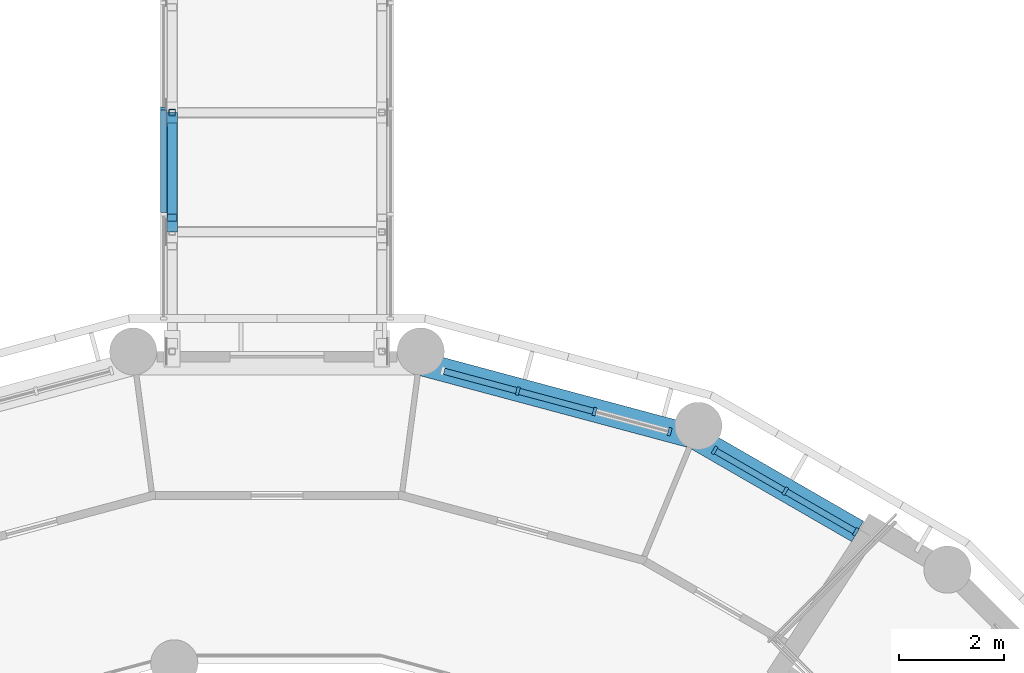
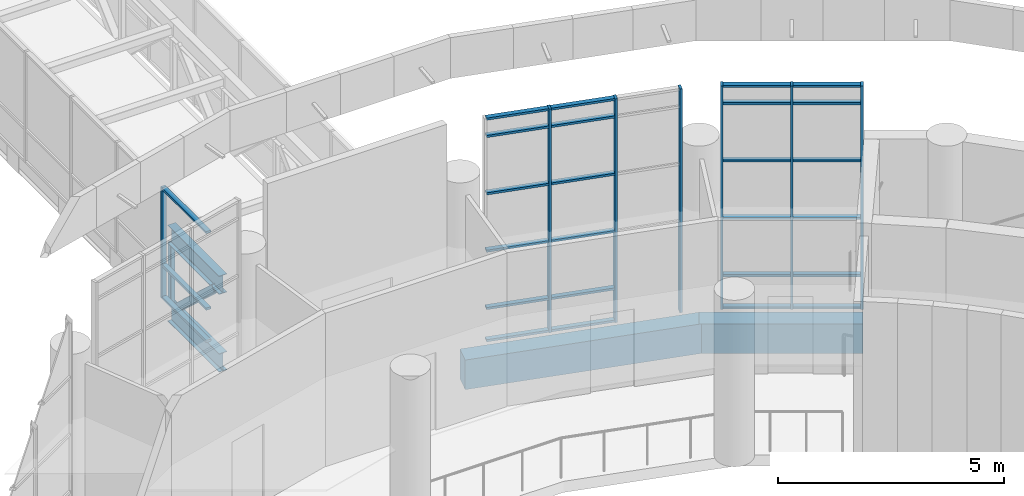
# One storey, part 24 of 136: 38 members, 2 beams, 3 elements without a shape of their own.
"""IFC4 building model written with IfcOpenShell, lengths in metres."""

from ifc_helpers import new_model, si_unit, direction, frame, origin, origin_2d, place, context, subcontext, project, spatial, rectangle, hollow_rectangle, i_section, extrude, material, material_profile, profile_set, type_object, element, aggregate, save


model = new_model("IFC4")

# Units and contexts
model_context = context("Model", 3, precision=1e-05, world=origin(), true_north=direction((0.0, 1.0)))
body_context = subcontext(model_context, "Body", "Model", "MODEL_VIEW")
ifc_project = project(units=[si_unit("LENGTHUNIT", "METRE"), si_unit("AREAUNIT", "SQUARE_METRE"), si_unit("VOLUMEUNIT", "CUBIC_METRE"), si_unit("PLANEANGLEUNIT", "RADIAN"), si_unit("MASSUNIT", "GRAM", prefix="KILO")], contexts=[model_context])

# Site, building, storey
site_placement = place(None, origin())
site = spatial("IfcSite", under=ifc_project, at=site_placement, CompositionType="ELEMENT")
building_placement = place(site_placement, origin())
building = spatial("IfcBuilding", under=site, at=building_placement, Name="Bougainvillea Quay General Hospital", CompositionType="ELEMENT")
storey_placement = place(building_placement, frame((0.0, 0.0, 5.39990234375)))
storey = spatial("IfcBuildingStorey", under=building, at=storey_placement, Name="L01", CompositionType="ELEMENT", Elevation=5.39990234375)

# Curtain wall, member
ifc_material_1 = material(Name="Aluminium curtain wall system, powder-coated glazed", Category="aluminium")
curtain_wall_type_1 = type_object("IfcCurtainWallType", Name="Unitised curtain wall CW-2100", PredefinedType="NOTDEFINED", material=ifc_material_1)
curtain_wall_1_placement = place(storey_placement, origin())
curtain_wall_1 = element("IfcCurtainWall", 1, at=curtain_wall_1_placement, inside=storey, type_object=curtain_wall_type_1, Name="BG-L L", PredefinedType="NOTDEFINED")
ifc_material_2 = material(Name="Aluminium mullion, powder-coated charcoal", Category="aluminium")
ifc_material_profile_1 = material_profile(ifc_material_2, rectangle(XDim=0.1201171875, YDim=0.06005859375, at=origin_2d()))
ifc_profile_set_1 = profile_set([ifc_material_profile_1], Name="Aluminium mullion, powder-coated charcoal")
member_type_1 = type_object("IfcMemberType", Name="Curtain wall mullion 120x60", PredefinedType="MULLION", material=ifc_profile_set_1)
member_1_placement = place(storey_placement, frame((107.0400390625, 99.45263671875, 0.0), z_axis=(0.0, 0.0, 1.0), x_axis=(-1.0, 0.0, 0.0)))
member_1 = element("IfcMember", 2, at=member_1_placement, type_object=member_type_1, Name="BG-L mullion 3", PredefinedType="MULLION", context=body_context, shape_type="SweptSolid", body=[
    extrude(rectangle(XDim=0.1201171875, YDim=0.06005859375, at=origin_2d()), origin(), (0.0, 0.0, 1.0), 3.0),
])

# Curtain wall, members
curtain_wall_type_2 = type_object("IfcCurtainWallType", Name="Unitised curtain wall CW-1585", PredefinedType="NOTDEFINED", material=ifc_material_1)
curtain_wall_2_placement = place(storey_placement, origin())
curtain_wall_2 = element("IfcCurtainWall", 3, at=curtain_wall_2_placement, inside=storey, type_object=curtain_wall_type_2, Name="CW-D 00", PredefinedType="NOTDEFINED")
ifc_material_profile_2 = material_profile(ifc_material_2, rectangle(XDim=0.159912109375, YDim=0.06005859375, at=origin_2d()))
ifc_profile_set_2 = profile_set([ifc_material_profile_2], Name="Aluminium mullion, powder-coated charcoal")
member_type_2 = type_object("IfcMemberType", Name="Curtain wall mullion 160x60", PredefinedType="MULLION", material=ifc_profile_set_2)
member_2_placement = place(storey_placement, frame((120.2373046875, 91.379638671875, 0.0), z_axis=(0.0, 0.0, 1.0), x_axis=(-0.499964557262, -0.866045865692, 0.0)))
member_2 = element("IfcMember", 4, at=member_2_placement, type_object=member_type_2, Name="CW-D mullion 1", PredefinedType="MULLION", context=body_context, shape_type="SweptSolid", body=[
    extrude(rectangle(XDim=0.159912109375, YDim=0.06005859375, at=origin_2d()), origin(), (0.0, 0.0, 1.0), 6.050048828125),
])
member_3_placement = place(storey_placement, frame((118.890625, 92.1572265625, 0.0), z_axis=(0.0, 0.0, 1.0), x_axis=(-0.499964557262, -0.866045865692, 0.0)))
member_3 = element("IfcMember", 5, at=member_3_placement, type_object=member_type_2, Name="CW-D mullion 2", PredefinedType="MULLION", context=body_context, shape_type="SweptSolid", body=[
    extrude(rectangle(XDim=0.159912109375, YDim=0.06005859375, at=origin_2d()), origin(), (0.0, 0.0, 1.0), 6.050048828125),
])
member_4_placement = place(storey_placement, frame((117.5439453125, 92.9345703125, 0.0), z_axis=(0.0, 0.0, 1.0), x_axis=(-0.499964557262, -0.866045865692, 0.0)))
member_4 = element("IfcMember", 6, at=member_4_placement, type_object=member_type_2, Name="CW-D mullion 3", PredefinedType="MULLION", context=body_context, shape_type="SweptSolid", body=[
    extrude(rectangle(XDim=0.159912109375, YDim=0.06005859375, at=origin_2d()), origin(), (0.0, 0.0, 1.0), 6.050048828125),
])

curtain_wall_type_3 = type_object("IfcCurtainWallType", Name="Unitised curtain wall CW-1514", PredefinedType="NOTDEFINED", material=ifc_material_1)
curtain_wall_3_placement = place(storey_placement, origin())
curtain_wall_3 = element("IfcCurtainWall", 7, at=curtain_wall_3_placement, inside=storey, type_object=curtain_wall_type_3, Name="CW-D 00", PredefinedType="NOTDEFINED")
member_5_placement = place(storey_placement, frame((116.688232421875, 93.2890625, 0.0), z_axis=(0.0, 0.0, 1.0), x_axis=(-0.258854621298, -0.965916292974, 0.0)))
member_5 = element("IfcMember", 8, at=member_5_placement, type_object=member_type_2, Name="CW-D mullion 1", PredefinedType="MULLION", context=body_context, shape_type="SweptSolid", body=[
    extrude(rectangle(XDim=0.159912109375, YDim=0.06005859375, at=origin_2d()), origin(), (0.0, 0.0, 1.0), 6.050048828125),
])
member_6_placement = place(storey_placement, frame((115.2548828125, 93.673095703125, 0.0), z_axis=(0.0, 0.0, 1.0), x_axis=(-0.258854621298, -0.965916292974, 0.0)))
member_6 = element("IfcMember", 9, at=member_6_placement, type_object=member_type_2, Name="CW-D mullion 2", PredefinedType="MULLION", context=body_context, shape_type="SweptSolid", body=[
    extrude(rectangle(XDim=0.159912109375, YDim=0.06005859375, at=origin_2d()), origin(), (0.0, 0.0, 1.0), 6.050048828125),
])
member_7_placement = place(storey_placement, frame((113.792724609375, 94.06494140625, 0.0), z_axis=(0.0, 0.0, 1.0), x_axis=(-0.258854621298, -0.965916292974, 0.0)))
member_7 = element("IfcMember", 10, at=member_7_placement, type_object=member_type_2, Name="CW-D mullion 3", PredefinedType="MULLION", context=body_context, shape_type="SweptSolid", body=[
    extrude(rectangle(XDim=0.159912109375, YDim=0.06005859375, at=origin_2d()), origin(), (0.0, 0.0, 1.0), 6.050048828125),
])

# Member
ifc_material_3 = material(Name="Aluminium transom, powder-coated charcoal", Category="aluminium")
ifc_material_profile_3 = material_profile(ifc_material_3, rectangle(XDim=0.1201171875, YDim=0.06005859375, at=origin_2d()))
ifc_profile_set_3 = profile_set([ifc_material_profile_3], Name="Aluminium transom, powder-coated charcoal")
member_type_3 = type_object("IfcMemberType", Name="Curtain wall transom 120x60", PredefinedType="USERDEFINED", material=ifc_profile_set_3)
member_8_placement = place(storey_placement, frame((120.211181640625, 91.394775390625, 0.030029296875), z_axis=(-0.866074087889, 0.499915667175, 0.0), x_axis=(-0.499915667175, -0.866074087889, 0.0)))
member_8 = element("IfcMember", 11, at=member_8_placement, type_object=member_type_3, Name="CW-D transom 1.1", ObjectType="TRANSOM", PredefinedType="USERDEFINED", context=body_context, shape_type="SweptSolid", body=[
    extrude(rectangle(XDim=0.1201171875, YDim=0.06005859375, at=origin_2d()), origin(), (0.0, 0.0, 1.0), 1.494873046875),
])

member_9_placement = place(storey_placement, frame((120.211181640625, 91.394775390625, 0.900146484375), z_axis=(-0.866074087889, 0.499915667175, 0.0), x_axis=(-0.499915667175, -0.866074087889, 0.0)))
member_9 = element("IfcMember", 12, at=member_9_placement, type_object=member_type_3, Name="CW-D transom 1.2", ObjectType="TRANSOM", PredefinedType="USERDEFINED", context=body_context, shape_type="SweptSolid", body=[
    extrude(rectangle(XDim=0.1201171875, YDim=0.06005859375, at=origin_2d()), origin(), (0.0, 0.0, 1.0), 1.494873046875),
])

member_10_placement = place(storey_placement, frame((120.211181640625, 91.394775390625, 2.4501953125), z_axis=(-0.866074087889, 0.499915667175, 0.0), x_axis=(-0.499915667175, -0.866074087889, 0.0)))
member_10 = element("IfcMember", 13, at=member_10_placement, type_object=member_type_3, Name="CW-D transom 1.3", ObjectType="TRANSOM", PredefinedType="USERDEFINED", context=body_context, shape_type="SweptSolid", body=[
    extrude(rectangle(XDim=0.1201171875, YDim=0.06005859375, at=origin_2d()), origin(), (0.0, 0.0, 1.0), 1.494873046875),
])

member_11_placement = place(storey_placement, frame((120.211181640625, 91.394775390625, 4.0), z_axis=(-0.866074087889, 0.499915667175, 0.0), x_axis=(-0.499915667175, -0.866074087889, 0.0)))
member_11 = element("IfcMember", 14, at=member_11_placement, type_object=member_type_3, Name="CW-D transom 1.4", ObjectType="TRANSOM", PredefinedType="USERDEFINED", context=body_context, shape_type="SweptSolid", body=[
    extrude(rectangle(XDim=0.1201171875, YDim=0.06005859375, at=origin_2d()), origin(), (0.0, 0.0, 1.0), 1.494873046875),
])

member_12_placement = place(storey_placement, frame((120.211181640625, 91.394775390625, 5.550048828125), z_axis=(-0.866074087889, 0.499915667175, 0.0), x_axis=(-0.499915667175, -0.866074087889, 0.0)))
member_12 = element("IfcMember", 15, at=member_12_placement, type_object=member_type_3, Name="CW-D transom 1.5", ObjectType="TRANSOM", PredefinedType="USERDEFINED", context=body_context, shape_type="SweptSolid", body=[
    extrude(rectangle(XDim=0.1201171875, YDim=0.06005859375, at=origin_2d()), origin(), (0.0, 0.0, 1.0), 1.494873046875),
])

member_13_placement = place(storey_placement, frame((120.211181640625, 91.394775390625, 6.02001953125), z_axis=(-0.866074087889, 0.499915667175, 0.0), x_axis=(-0.499915667175, -0.866074087889, 0.0)))
member_13 = element("IfcMember", 16, at=member_13_placement, type_object=member_type_3, Name="CW-D transom 1.6", ObjectType="TRANSOM", PredefinedType="USERDEFINED", context=body_context, shape_type="SweptSolid", body=[
    extrude(rectangle(XDim=0.1201171875, YDim=0.06005859375, at=origin_2d()), origin(), (0.0, 0.0, 1.0), 1.494873046875),
])

member_14_placement = place(storey_placement, frame((118.86474609375, 92.172119140625, 0.030029296875), z_axis=(-0.866074087889, 0.499915667175, 0.0), x_axis=(-0.499915667175, -0.866074087889, 0.0)))
member_14 = element("IfcMember", 17, at=member_14_placement, type_object=member_type_3, Name="CW-D transom 2.1", ObjectType="TRANSOM", PredefinedType="USERDEFINED", context=body_context, shape_type="SweptSolid", body=[
    extrude(rectangle(XDim=0.1201171875, YDim=0.06005859375, at=origin_2d()), origin(), (0.0, 0.0, 1.0), 1.494873046875),
])

member_15_placement = place(storey_placement, frame((118.86474609375, 92.172119140625, 0.900146484375), z_axis=(-0.866074087889, 0.499915667175, 0.0), x_axis=(-0.499915667175, -0.866074087889, 0.0)))
member_15 = element("IfcMember", 18, at=member_15_placement, type_object=member_type_3, Name="CW-D transom 2.2", ObjectType="TRANSOM", PredefinedType="USERDEFINED", context=body_context, shape_type="SweptSolid", body=[
    extrude(rectangle(XDim=0.1201171875, YDim=0.06005859375, at=origin_2d()), origin(), (0.0, 0.0, 1.0), 1.494873046875),
])

member_16_placement = place(storey_placement, frame((118.86474609375, 92.172119140625, 2.4501953125), z_axis=(-0.866074087889, 0.499915667175, 0.0), x_axis=(-0.499915667175, -0.866074087889, 0.0)))
member_16 = element("IfcMember", 19, at=member_16_placement, type_object=member_type_3, Name="CW-D transom 2.3", ObjectType="TRANSOM", PredefinedType="USERDEFINED", context=body_context, shape_type="SweptSolid", body=[
    extrude(rectangle(XDim=0.1201171875, YDim=0.06005859375, at=origin_2d()), origin(), (0.0, 0.0, 1.0), 1.494873046875),
])

member_17_placement = place(storey_placement, frame((118.86474609375, 92.172119140625, 4.0), z_axis=(-0.866074087889, 0.499915667175, 0.0), x_axis=(-0.499915667175, -0.866074087889, 0.0)))
member_17 = element("IfcMember", 20, at=member_17_placement, type_object=member_type_3, Name="CW-D transom 2.4", ObjectType="TRANSOM", PredefinedType="USERDEFINED", context=body_context, shape_type="SweptSolid", body=[
    extrude(rectangle(XDim=0.1201171875, YDim=0.06005859375, at=origin_2d()), origin(), (0.0, 0.0, 1.0), 1.494873046875),
])

member_18_placement = place(storey_placement, frame((118.86474609375, 92.172119140625, 5.550048828125), z_axis=(-0.866074087889, 0.499915667175, 0.0), x_axis=(-0.499915667175, -0.866074087889, 0.0)))
member_18 = element("IfcMember", 21, at=member_18_placement, type_object=member_type_3, Name="CW-D transom 2.5", ObjectType="TRANSOM", PredefinedType="USERDEFINED", context=body_context, shape_type="SweptSolid", body=[
    extrude(rectangle(XDim=0.1201171875, YDim=0.06005859375, at=origin_2d()), origin(), (0.0, 0.0, 1.0), 1.494873046875),
])

member_19_placement = place(storey_placement, frame((118.86474609375, 92.172119140625, 6.02001953125), z_axis=(-0.866074087889, 0.499915667175, 0.0), x_axis=(-0.499915667175, -0.866074087889, 0.0)))
member_19 = element("IfcMember", 22, at=member_19_placement, type_object=member_type_3, Name="CW-D transom 2.6", ObjectType="TRANSOM", PredefinedType="USERDEFINED", context=body_context, shape_type="SweptSolid", body=[
    extrude(rectangle(XDim=0.1201171875, YDim=0.06005859375, at=origin_2d()), origin(), (0.0, 0.0, 1.0), 1.494873046875),
])

aggregate(curtain_wall_2, [member_2, member_3, member_4, member_8, member_9, member_10, member_11, member_12, member_13, member_14, member_15, member_16, member_17, member_18, member_19])

member_20_placement = place(storey_placement, frame((115.22607421875, 93.680908203125, 0.030029296875), z_axis=(-0.965947302154, 0.258738882778, 0.0), x_axis=(-0.258738882778, -0.965947302154, 0.0)))
member_20 = element("IfcMember", 23, at=member_20_placement, type_object=member_type_3, Name="CW-D transom 2.1", ObjectType="TRANSOM", PredefinedType="USERDEFINED", context=body_context, shape_type="SweptSolid", body=[
    extrude(rectangle(XDim=0.1201171875, YDim=0.06005859375, at=origin_2d()), origin(), (0.0, 0.0, 1.0), 1.4541015625),
])

member_21_placement = place(storey_placement, frame((115.22607421875, 93.680908203125, 0.900146484375), z_axis=(-0.965947302154, 0.258738882778, 0.0), x_axis=(-0.258738882778, -0.965947302154, 0.0)))
member_21 = element("IfcMember", 24, at=member_21_placement, type_object=member_type_3, Name="CW-D transom 2.2", ObjectType="TRANSOM", PredefinedType="USERDEFINED", context=body_context, shape_type="SweptSolid", body=[
    extrude(rectangle(XDim=0.1201171875, YDim=0.06005859375, at=origin_2d()), origin(), (0.0, 0.0, 1.0), 1.4541015625),
])

member_22_placement = place(storey_placement, frame((115.22607421875, 93.680908203125, 2.4501953125), z_axis=(-0.965947302154, 0.258738882778, 0.0), x_axis=(-0.258738882778, -0.965947302154, 0.0)))
member_22 = element("IfcMember", 25, at=member_22_placement, type_object=member_type_3, Name="CW-D transom 2.3", ObjectType="TRANSOM", PredefinedType="USERDEFINED", context=body_context, shape_type="SweptSolid", body=[
    extrude(rectangle(XDim=0.1201171875, YDim=0.06005859375, at=origin_2d()), origin(), (0.0, 0.0, 1.0), 1.4541015625),
])

member_23_placement = place(storey_placement, frame((115.22607421875, 93.680908203125, 4.0), z_axis=(-0.965947302154, 0.258738882778, 0.0), x_axis=(-0.258738882778, -0.965947302154, 0.0)))
member_23 = element("IfcMember", 26, at=member_23_placement, type_object=member_type_3, Name="CW-D transom 2.4", ObjectType="TRANSOM", PredefinedType="USERDEFINED", context=body_context, shape_type="SweptSolid", body=[
    extrude(rectangle(XDim=0.1201171875, YDim=0.06005859375, at=origin_2d()), origin(), (0.0, 0.0, 1.0), 1.4541015625),
])

member_24_placement = place(storey_placement, frame((115.22607421875, 93.680908203125, 5.550048828125), z_axis=(-0.965947302154, 0.258738882778, 0.0), x_axis=(-0.258738882778, -0.965947302154, 0.0)))
member_24 = element("IfcMember", 27, at=member_24_placement, type_object=member_type_3, Name="CW-D transom 2.5", ObjectType="TRANSOM", PredefinedType="USERDEFINED", context=body_context, shape_type="SweptSolid", body=[
    extrude(rectangle(XDim=0.1201171875, YDim=0.06005859375, at=origin_2d()), origin(), (0.0, 0.0, 1.0), 1.4541015625),
])

member_25_placement = place(storey_placement, frame((115.22607421875, 93.680908203125, 6.02001953125), z_axis=(-0.965947302154, 0.258738882778, 0.0), x_axis=(-0.258738882778, -0.965947302154, 0.0)))
member_25 = element("IfcMember", 28, at=member_25_placement, type_object=member_type_3, Name="CW-D transom 2.6", ObjectType="TRANSOM", PredefinedType="USERDEFINED", context=body_context, shape_type="SweptSolid", body=[
    extrude(rectangle(XDim=0.1201171875, YDim=0.06005859375, at=origin_2d()), origin(), (0.0, 0.0, 1.0), 1.4541015625),
])

member_26_placement = place(storey_placement, frame((113.763671875, 94.07275390625, 0.030029296875), z_axis=(-0.965909783806, 0.258878909043, 0.0), x_axis=(-0.258878909043, -0.965909783806, 0.0)))
member_26 = element("IfcMember", 29, at=member_26_placement, type_object=member_type_3, Name="CW-D transom 3.1", ObjectType="TRANSOM", PredefinedType="USERDEFINED", context=body_context, shape_type="SweptSolid", body=[
    extrude(rectangle(XDim=0.1201171875, YDim=0.06005859375, at=origin_2d()), origin(), (0.0, 0.0, 1.0), 1.424072265625),
])

member_27_placement = place(storey_placement, frame((113.763671875, 94.07275390625, 0.900146484375), z_axis=(-0.965909783806, 0.258878909043, 0.0), x_axis=(-0.258878909043, -0.965909783806, 0.0)))
member_27 = element("IfcMember", 30, at=member_27_placement, type_object=member_type_3, Name="CW-D transom 3.2", ObjectType="TRANSOM", PredefinedType="USERDEFINED", context=body_context, shape_type="SweptSolid", body=[
    extrude(rectangle(XDim=0.1201171875, YDim=0.06005859375, at=origin_2d()), origin(), (0.0, 0.0, 1.0), 1.424072265625),
])

member_28_placement = place(storey_placement, frame((113.763671875, 94.07275390625, 2.4501953125), z_axis=(-0.965909783806, 0.258878909043, 0.0), x_axis=(-0.258878909043, -0.965909783806, 0.0)))
member_28 = element("IfcMember", 31, at=member_28_placement, type_object=member_type_3, Name="CW-D transom 3.3", ObjectType="TRANSOM", PredefinedType="USERDEFINED", context=body_context, shape_type="SweptSolid", body=[
    extrude(rectangle(XDim=0.1201171875, YDim=0.06005859375, at=origin_2d()), origin(), (0.0, 0.0, 1.0), 1.424072265625),
])

member_29_placement = place(storey_placement, frame((113.763671875, 94.07275390625, 4.0), z_axis=(-0.965909783806, 0.258878909043, 0.0), x_axis=(-0.258878909043, -0.965909783806, 0.0)))
member_29 = element("IfcMember", 32, at=member_29_placement, type_object=member_type_3, Name="CW-D transom 3.4", ObjectType="TRANSOM", PredefinedType="USERDEFINED", context=body_context, shape_type="SweptSolid", body=[
    extrude(rectangle(XDim=0.1201171875, YDim=0.06005859375, at=origin_2d()), origin(), (0.0, 0.0, 1.0), 1.424072265625),
])

member_30_placement = place(storey_placement, frame((113.763671875, 94.07275390625, 5.550048828125), z_axis=(-0.965909783806, 0.258878909043, 0.0), x_axis=(-0.258878909043, -0.965909783806, 0.0)))
member_30 = element("IfcMember", 33, at=member_30_placement, type_object=member_type_3, Name="CW-D transom 3.5", ObjectType="TRANSOM", PredefinedType="USERDEFINED", context=body_context, shape_type="SweptSolid", body=[
    extrude(rectangle(XDim=0.1201171875, YDim=0.06005859375, at=origin_2d()), origin(), (0.0, 0.0, 1.0), 1.424072265625),
])

member_31_placement = place(storey_placement, frame((113.763671875, 94.07275390625, 6.02001953125), z_axis=(-0.965909783806, 0.258878909043, 0.0), x_axis=(-0.258878909043, -0.965909783806, 0.0)))
member_31 = element("IfcMember", 34, at=member_31_placement, type_object=member_type_3, Name="CW-D transom 3.6", ObjectType="TRANSOM", PredefinedType="USERDEFINED", context=body_context, shape_type="SweptSolid", body=[
    extrude(rectangle(XDim=0.1201171875, YDim=0.06005859375, at=origin_2d()), origin(), (0.0, 0.0, 1.0), 1.424072265625),
])

aggregate(curtain_wall_3, [member_5, member_6, member_7, member_20, member_21, member_22, member_23, member_24, member_25, member_26, member_27, member_28, member_29, member_30, member_31])

member_32_placement = place(storey_placement, frame((107.0400390625, 97.46630859375, 0.030029296875), z_axis=(0.0, 1.0, 0.0), x_axis=(-1.0, 0.0, 0.0)))
member_32 = element("IfcMember", 35, at=member_32_placement, type_object=member_type_3, Name="BG-L transom 2.1", ObjectType="TRANSOM", PredefinedType="USERDEFINED", context=body_context, shape_type="SweptSolid", body=[
    extrude(rectangle(XDim=0.1201171875, YDim=0.06005859375, at=origin_2d()), origin(), (0.0, 0.0, 1.0), 1.956298828125),
])

member_33_placement = place(storey_placement, frame((107.0400390625, 97.46630859375, 0.900146484375), z_axis=(0.0, 1.0, 0.0), x_axis=(-1.0, 0.0, 0.0)))
member_33 = element("IfcMember", 36, at=member_33_placement, type_object=member_type_3, Name="BG-L transom 2.2", ObjectType="TRANSOM", PredefinedType="USERDEFINED", context=body_context, shape_type="SweptSolid", body=[
    extrude(rectangle(XDim=0.1201171875, YDim=0.06005859375, at=origin_2d()), origin(), (0.0, 0.0, 1.0), 1.956298828125),
])

member_34_placement = place(storey_placement, frame((107.0400390625, 97.46630859375, 2.97021484375), z_axis=(0.0, 1.0, 0.0), x_axis=(-1.0, 0.0, 0.0)))
member_34 = element("IfcMember", 37, at=member_34_placement, type_object=member_type_3, Name="BG-L transom 2.3", ObjectType="TRANSOM", PredefinedType="USERDEFINED", context=body_context, shape_type="SweptSolid", body=[
    extrude(rectangle(XDim=0.1201171875, YDim=0.06005859375, at=origin_2d()), origin(), (0.0, 0.0, 1.0), 1.956298828125),
])

aggregate(curtain_wall_1, [member_1, member_32, member_33, member_34])

# Members
ifc_material_4 = material(Name="Steel Q355", Category="steel")
ifc_material_profile_4 = material_profile(ifc_material_4, i_section(OverallWidth=0.199951171875, OverallDepth=0.5, WebThickness=0.010009765625, FlangeThickness=0.01611328125, FilletRadius=0.012939453125, at=origin_2d()))
ifc_profile_set_4 = profile_set([ifc_material_profile_4], Name="Steel Q355")
member_type_4 = type_object("IfcMemberType", Name="HN 500x200x10x16 Q355 CHORD", PredefinedType="CHORD", material=ifc_profile_set_4)
for number, where, z_axis, x_axis, name in (
    (38, (107.199951171875, 97.097900390625, -0.369873046875), (0.0, 1.0, 0.0), (-1.0, 0.0, 0.0), "Bottom chord"),
    (39, (107.199951171875, 97.097900390625, 1.72998046875), (0.0, 1.0, 0.0), (-1.0, 0.0, 0.0), "Top chord"),
):
    element("IfcMember", number, at=place(storey_placement, frame(where, z_axis=z_axis, x_axis=x_axis)), inside=storey, type_object=member_type_4, Name=name, PredefinedType="CHORD", context=body_context, shape_type="SweptSolid", body=[
        extrude(i_section(OverallWidth=0.199951171875, OverallDepth=0.5, WebThickness=0.010009765625, FlangeThickness=0.01611328125, FilletRadius=0.012939453125, at=origin_2d()), origin(), (0.0, 0.0, 1.0), 2.278076171875),
    ])

# Beams
ifc_material_5 = material(Name="Concrete C40", Category="concrete")
ifc_material_profile_5 = material_profile(ifc_material_5, rectangle(XDim=0.449951171875, YDim=0.800048828125, at=origin_2d()))
ifc_profile_set_5 = profile_set([ifc_material_profile_5], Name="Concrete C40")
beam_type = type_object("IfcBeamType", Name="RC BEAM 450x800 C40", PredefinedType="BEAM", material=ifc_profile_set_5)
beam_1_placement = place(storey_placement, frame((120.270263671875, 91.389404296875, -0.699951171875), z_axis=(-0.866039008871, 0.499976434558, 0.0), x_axis=(-0.499976434558, -0.866039008871, 0.0)))
element("IfcBeam", 40, at=beam_1_placement, inside=storey, type_object=beam_type, Name="Edge beam L01", PredefinedType="BEAM", context=body_context, shape_type="SweptSolid", body=[
    extrude(rectangle(XDim=0.449951171875, YDim=0.800048828125, at=origin_2d()), origin(), (0.0, 0.0, 1.0), 3.633544921875),
])
beam_2_placement = place(storey_placement, frame((117.177734375, 93.18359375, -0.699951171875), z_axis=(-0.965906696194, 0.258890429038, 0.0), x_axis=(-0.258890429038, -0.965906696194, 0.0)))
element("IfcBeam", 41, at=beam_2_placement, inside=storey, type_object=beam_type, Name="Edge beam L01", PredefinedType="BEAM", context=body_context, shape_type="SweptSolid", body=[
    extrude(rectangle(XDim=0.449951171875, YDim=0.800048828125, at=origin_2d()), origin(), (0.0, 0.0, 1.0), 5.48193359375),
])

# Members
ifc_material_profile_6 = material_profile(ifc_material_4, hollow_rectangle(XDim=0.1201171875, YDim=0.1201171875, WallThickness=0.0048828125, InnerFilletRadius=0.0048828125, OuterFilletRadius=0.010009765625, at=origin_2d()))
ifc_profile_set_6 = profile_set([ifc_material_profile_6], Name="Steel Q355")
member_type_5 = type_object("IfcMemberType", Name="SHS 120x120x5 Q355 POST", PredefinedType="POST", material=ifc_profile_set_6)
member_35_placement = place(storey_placement, frame((107.199951171875, 99.3759765625, -0.119873046875), z_axis=(0.0, 0.0, 1.0), x_axis=(1.0, 0.0, 0.0)))
element("IfcMember", 42, at=member_35_placement, inside=storey, type_object=member_type_5, Name="Truss post", PredefinedType="POST", context=body_context, shape_type="SweptSolid", body=[
    extrude(hollow_rectangle(XDim=0.1201171875, YDim=0.1201171875, WallThickness=0.0048828125, InnerFilletRadius=0.0048828125, OuterFilletRadius=0.010009765625, at=origin_2d()), origin(), (0.0, 0.0, 1.0), 1.599853515625),
])
ifc_material_profile_7 = material_profile(ifc_material_4, hollow_rectangle(XDim=0.199951171875, YDim=0.199951171875, WallThickness=0.008056640625, InnerFilletRadius=0.008056640625, OuterFilletRadius=0.01611328125, at=origin_2d()))
ifc_profile_set_7 = profile_set([ifc_material_profile_7], Name="Steel Q355")
member_type_6 = type_object("IfcMemberType", Name="SHS 200x200x8 Q355 BRACE", PredefinedType="BRACE", material=ifc_profile_set_7)
member_36_placement = place(storey_placement, frame((107.199951171875, 99.104736328125, -0.119873046875), z_axis=(0.0, -0.73527513993, 0.677768742715), x_axis=(1.0, 0.0, 0.0)))
element("IfcMember", 43, at=member_36_placement, inside=storey, type_object=member_type_6, Name="Truss diagonal", PredefinedType="BRACE", context=body_context, shape_type="SweptSolid", body=[
    extrude(hollow_rectangle(XDim=0.199951171875, YDim=0.199951171875, WallThickness=0.008056640625, InnerFilletRadius=0.008056640625, OuterFilletRadius=0.01611328125, at=origin_2d()), origin(), (0.0, 0.0, 1.0), 2.3603515625),
])

save(model, "model.ifc")
